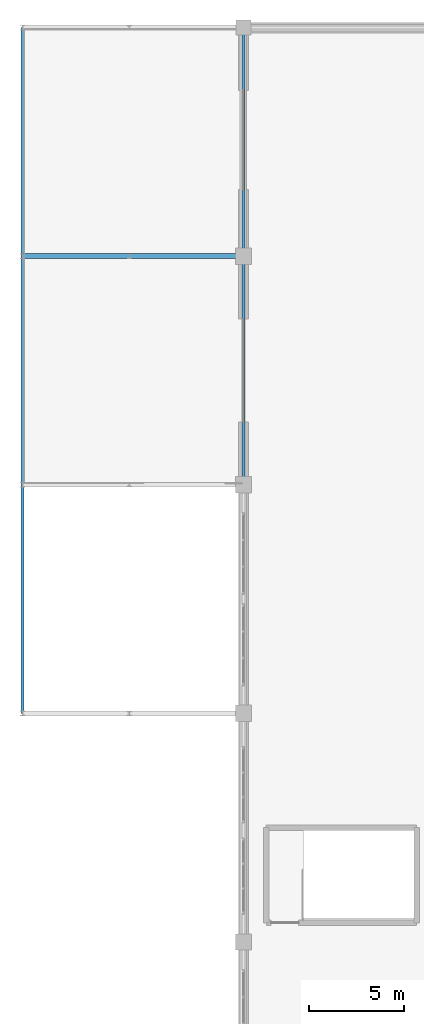
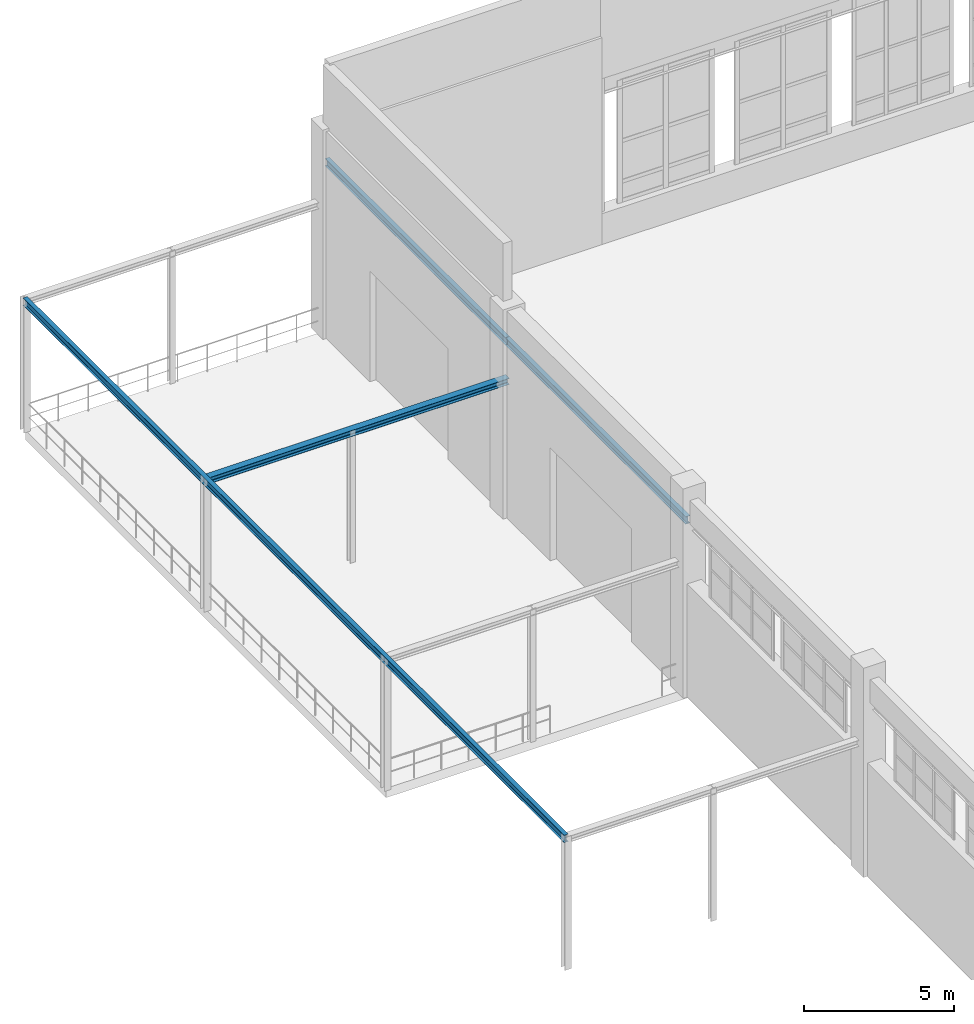
# One storey, part 46 of 97: 4 beams.
"""IFC4 building model written with IfcOpenShell, lengths in metres."""

from ifc_helpers import new_model, si_unit, derived_unit, direction, frame, origin, origin_2d, place, context, subcontext, project, spatial, i_section, extrude, material, material_profile, profile_set, type_object, element, save


model = new_model("IFC4")

# Units and contexts
model_context = context("Model", 3, precision=1e-05, world=origin(), true_north=direction((0.0, 1.0)))
body_context = subcontext(model_context, "Body", "Model", "MODEL_VIEW")
ifc_project = project(units=[si_unit("LENGTHUNIT", "METRE"), si_unit("AREAUNIT", "SQUARE_METRE"), si_unit("VOLUMEUNIT", "CUBIC_METRE"), si_unit("PLANEANGLEUNIT", "RADIAN"), si_unit("MASSUNIT", "GRAM", prefix="KILO"), derived_unit("THERMALTRANSMITTANCEUNIT", [(si_unit("POWERUNIT", "WATT"), 1), (si_unit("LENGTHUNIT", "METRE"), -2), (si_unit("THERMODYNAMICTEMPERATUREUNIT", "KELVIN"), -1)])], contexts=[model_context])

# Site, building, storey
site_placement = place(None, origin())
site = spatial("IfcSite", under=ifc_project, at=site_placement, CompositionType="ELEMENT")
building_placement = place(site_placement, origin())
building = spatial("IfcBuilding", under=site, at=building_placement, Name="Almenara Railside Exhibition Hall", CompositionType="ELEMENT")
storey_placement = place(building_placement, frame((0.0, 0.0, 10.800048828125)))
storey = spatial("IfcBuildingStorey", under=building, at=storey_placement, Name="L02", CompositionType="ELEMENT", Elevation=10.800048828125)

# Beams
ifc_material = material(Name="Structural steel S355JR", Category="steel")
ifc_material_profile_1 = material_profile(ifc_material, i_section(OverallWidth=0.1650390625, OverallDepth=0.303466796875, WebThickness=0.006103515625, FlangeThickness=0.01025390625, FilletRadius=0.0087890625, at=origin_2d()), Name="UB 305x165x40")
ifc_profile_set_1 = profile_set([ifc_material_profile_1], Name="Structural steel S355JR")
beam_type_1 = type_object("IfcBeamType", Name="Steel Canopy Edge Spandrel UB 305x165x40 S355JR", PredefinedType="SPANDREL", material=ifc_profile_set_1)
beam_1_placement = place(storey_placement, frame((0.39990234375, 96.0, 5.248291015625), z_axis=(0.0, 1.0, 0.0), x_axis=(-1.0, 0.0, 0.0)))
element("IfcBeam", 1, at=beam_1_placement, inside=storey, type_object=beam_type_1, Name="Beam 0956", PredefinedType="SPANDREL", context=body_context, shape_type="SweptSolid", body=[
    extrude(i_section(OverallWidth=0.1650390625, OverallDepth=0.303466796875, WebThickness=0.006103515625, FlangeThickness=0.01025390625, FilletRadius=0.0087890625, at=origin_2d()), origin(), (0.0, 0.0, 1.0), 36.0),
])
for number, where, z_axis, x_axis, name in (
    (2, (12.0, 108.0, 6.84814453125), (0.0, 1.0, 0.0), (-1.0, 0.0, 0.0), "BM-CRNLNT-V1-12-108"),
    (3, (12.0, 120.0, 6.84814453125), (0.0, 1.0, 0.0), (-1.0, 0.0, 0.0), "BM-CRNLNT-V1-12-120"),
):
    element("IfcBeam", number, at=place(storey_placement, frame(where, z_axis=z_axis, x_axis=x_axis)), inside=storey, type_object=beam_type_1, Name=name, PredefinedType="SPANDREL", context=body_context, shape_type="SweptSolid", body=[
        extrude(i_section(OverallWidth=0.1650390625, OverallDepth=0.303466796875, WebThickness=0.006103515625, FlangeThickness=0.01025390625, FilletRadius=0.0087890625, at=origin_2d()), origin(), (0.0, 0.0, 1.0), 12.0),
    ])
ifc_material_profile_2 = material_profile(ifc_material, i_section(OverallWidth=0.260009765625, OverallDepth=0.25, WebThickness=0.007568359375, FlangeThickness=0.012451171875, FilletRadius=0.02392578125, at=origin_2d()), Name="HEA 260")
ifc_profile_set_2 = profile_set([ifc_material_profile_2], Name="Structural steel S355JR")
beam_type_2 = type_object("IfcBeamType", Name="Steel Ramp Canopy Beam HEA 260 S355JR", PredefinedType="BEAM", material=ifc_profile_set_2)
beam_2_placement = place(storey_placement, frame((0.39990234375, 120.0, 5.27490234375), z_axis=(1.0, 0.0, 0.0), x_axis=(0.0, 1.0, 0.0)))
element("IfcBeam", 4, at=beam_2_placement, inside=storey, type_object=beam_type_2, Name="Beam 0943", PredefinedType="BEAM", context=body_context, shape_type="SweptSolid", body=[
    extrude(i_section(OverallWidth=0.260009765625, OverallDepth=0.25, WebThickness=0.007568359375, FlangeThickness=0.012451171875, FilletRadius=0.02392578125, at=origin_2d()), origin(), (0.0, 0.0, 1.0), 11.60009765625),
])

save(model, "model.ifc")
